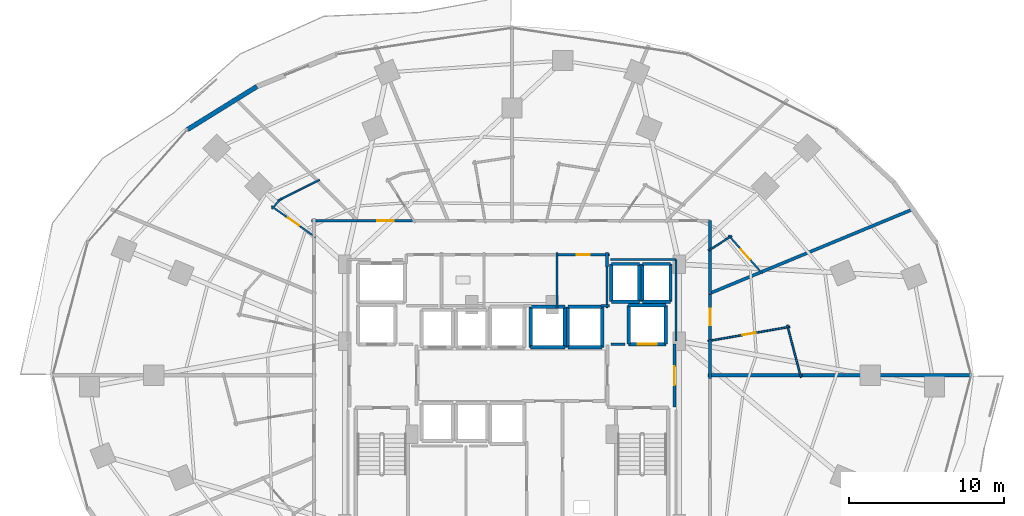
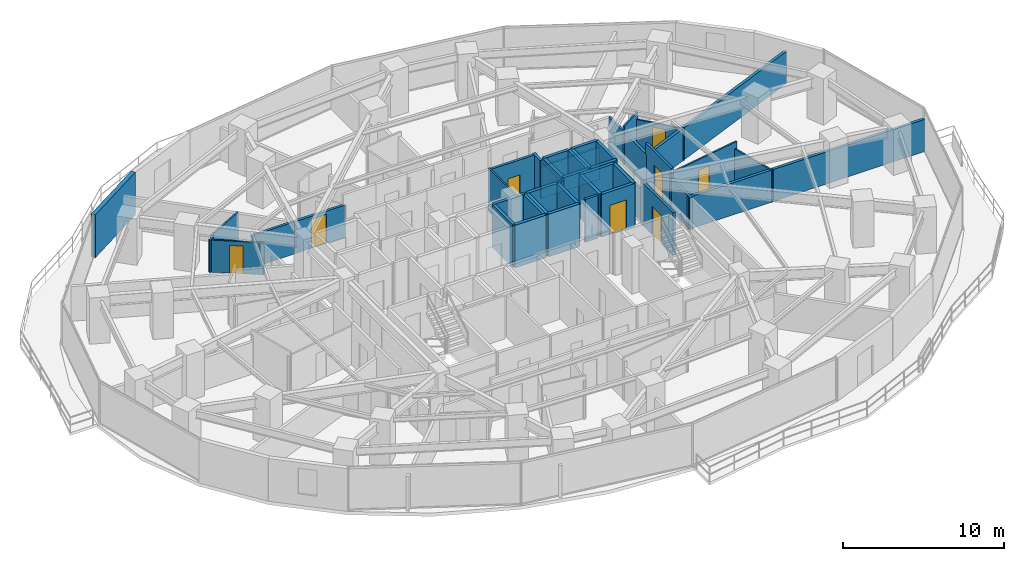
# One storey, part 29 of 34: 46 walls, 8 doors, 8 openings.
"""IFC4 building model written with IfcOpenShell, lengths in metres."""

from ifc_helpers import new_model, si_unit, direction, frame, frame_2d, origin, place, context, subcontext, project, spatial, rectangle, extrude, material, layer, layer_set, type_object, element, fill, save


model = new_model("IFC4")

# Units and contexts
model_context = context("Model", 3, precision=1e-05, world=origin(), true_north=direction((0.0, 1.0)))
body_context = subcontext(model_context, "Body", "Model", "MODEL_VIEW")
ifc_project = project(units=[si_unit("LENGTHUNIT", "METRE"), si_unit("AREAUNIT", "SQUARE_METRE"), si_unit("VOLUMEUNIT", "CUBIC_METRE"), si_unit("PLANEANGLEUNIT", "RADIAN"), si_unit("MASSUNIT", "GRAM", prefix="KILO")], contexts=[model_context])

# Site, building, storey
site_placement = place(None, origin())
site = spatial("IfcSite", under=ifc_project, at=site_placement, CompositionType="ELEMENT")
building_placement = place(site_placement, origin())
building = spatial("IfcBuilding", under=site, at=building_placement, Name="Vorneva Point Tower", CompositionType="ELEMENT")
storey_placement = place(building_placement, frame((0.0, 0.0, 27.5)))
storey = spatial("IfcBuildingStorey", under=building, at=storey_placement, Name="L06", CompositionType="ELEMENT", Elevation=27.5)

# Wall, opening, door
ifc_material_1 = material(Name="Concrete B60 (C50/60)", Category="concrete")
ifc_layer_1 = layer(ifc_material_1, 0.5)
ifc_layer_set_1 = layer_set([ifc_layer_1], Name="Concrete B60 (C50/60)")
wall_type_1 = type_object("IfcWallType", Name="WL-CORE-500", PredefinedType="SHEAR", material=ifc_layer_set_1)
wall_1_placement = place(storey_placement, frame((45.5, 28.0, 0.0), z_axis=(0.0, 0.0, 1.0), x_axis=(1.0, 0.0, 0.0)))
wall_1 = element("IfcWall", 1, at=wall_1_placement, inside=storey, type_object=wall_type_1, Name="L06 Lift FFL2 Shaft Wall -Y", PredefinedType="SHEAR", context=body_context, shape_type="SweptSolid", body=[
    extrude(rectangle(XDim=2.39990234375, YDim=0.219970703125, at=frame_2d((1.199951171875, 0.0))), origin(), (0.0, 0.0, 1.0), 3.239990234375),
])
opening_1_placement = place(wall_1_placement, frame((0.60009765625, 0.0, 0.0)))
opening_1 = element("IfcOpeningElement", 2, at=opening_1_placement, cuts=wall_1, Name="Opening LD-02", PredefinedType="OPENING", context=body_context, shape_type="SweptSolid", body=[
    extrude(rectangle(XDim=1.199951171875, YDim=2.199951171875, at=frame_2d((0.60009765625, 1.10009765625))), frame((0.0, 0.125, 0.0), z_axis=(0.0, -1.0, 0.0), x_axis=(1.0, 0.0, 0.0)), (0.0, 0.0, 1.0), 0.249755859375),
])
ifc_material_2 = material(Name="Brushed stainless steel S304", Category="steel")
door_type_1 = type_object("IfcDoorType", Name="LD-FIRE-1200", OperationType="SLIDING_TO_LEFT", PredefinedType="DOOR", material=ifc_material_2)
door_1_placement = place(opening_1_placement, origin())
door_1 = element("IfcDoor", 3, at=door_1_placement, inside=storey, type_object=door_type_1, Name="L06 Lift FFL2 Sliding Landing Door", OperationType="SLIDING_TO_LEFT", OverallHeight=2.199951171875, OverallWidth=1.199951171875, PredefinedType="DOOR", context=body_context, shape_type="SweptSolid", body=[
    extrude(rectangle(XDim=1.199951171875, YDim=2.199951171875, at=frame_2d((0.60009765625, 1.10009765625))), frame((0.0, 0.02490234375, 0.0), z_axis=(0.0, -1.0, 0.0), x_axis=(1.0, 0.0, 0.0)), (0.0, 0.0, 1.0), 0.050048828125),
])
fill(opening_1, door_1)

# Walls
wall_2_placement = place(storey_placement, frame((47.89990234375, 28.0, 0.0), z_axis=(0.0, 0.0, 1.0), x_axis=(0.0, 1.0, 0.0)))
element("IfcWall", 4, at=wall_2_placement, inside=storey, type_object=wall_type_1, Name="L06 Lift FFL2 Shaft Wall +X", PredefinedType="SHEAR", context=body_context, shape_type="SweptSolid", body=[
    extrude(rectangle(XDim=2.5, YDim=0.219970703125, at=frame_2d((1.25, 0.0))), origin(), (0.0, 0.0, 1.0), 3.239990234375),
])
wall_3_placement = place(storey_placement, frame((47.89990234375, 30.5, 0.0), z_axis=(0.0, 0.0, 1.0), x_axis=(-1.0, 0.0, 0.0)))
element("IfcWall", 5, at=wall_3_placement, inside=storey, type_object=wall_type_1, Name="L06 Lift FFL2 Shaft Wall +Y", PredefinedType="SHEAR", context=body_context, shape_type="SweptSolid", body=[
    extrude(rectangle(XDim=2.39990234375, YDim=0.219970703125, at=frame_2d((1.199951171875, 0.0))), origin(), (0.0, 0.0, 1.0), 3.239990234375),
])
wall_4_placement = place(storey_placement, frame((45.5, 30.5, 0.0), z_axis=(0.0, 0.0, 1.0), x_axis=(0.0, -1.0, 0.0)))
element("IfcWall", 6, at=wall_4_placement, inside=storey, type_object=wall_type_1, Name="L06 Lift FFL2 Shaft Wall -X", PredefinedType="SHEAR", context=body_context, shape_type="SweptSolid", body=[
    extrude(rectangle(XDim=2.5, YDim=0.219970703125, at=frame_2d((1.25, 0.0))), origin(), (0.0, 0.0, 1.0), 3.239990234375),
])
ifc_material_3 = material(Name="Precast concrete B50 (C40/50)", Category="concrete")
ifc_layer_2 = layer(ifc_material_3, 0.300048828125)
ifc_layer_set_2 = layer_set([ifc_layer_2], Name="Precast concrete B50 (C40/50)")
wall_type_2 = type_object("IfcWallType", Name="WL-EXT-300", PredefinedType="STANDARD", material=ifc_layer_set_2)
wall_5_placement = place(storey_placement, frame((21.5830078125, 44.583251953125, 0.0), z_axis=(0.0, 0.0, 1.0), x_axis=(-0.849633724826, -0.527373239404, 0.0)))
element("IfcWall", 7, at=wall_5_placement, inside=storey, type_object=wall_type_2, Name="L06 Pale-Metal Facade Spandrel Wall 06.2", PredefinedType="STANDARD", context=body_context, shape_type="SweptSolid", body=[
    extrude(rectangle(XDim=5.2705078125, YDim=0.300048828125, at=frame_2d((2.63525390625, 0.0))), origin(), (0.0, 0.0, 1.0), 3.239990234375),
])
ifc_material_4 = material(Name="Fire-rated acoustic gypsum stud partition", Category="gypsum")
ifc_layer_3 = layer(ifc_material_4, 0.110107421875)
ifc_layer_set_3 = layer_set([ifc_layer_3], Name="Fire-rated acoustic gypsum stud partition")
wall_type_3 = type_object("IfcWallType", Name="WL-PART-110", PredefinedType="PARTITIONING", material=ifc_layer_set_3)
wall_6_placement = place(storey_placement, frame((40.89990234375, 30.340087890625, 0.0), z_axis=(0.0, 0.0, 1.0), x_axis=(0.0, 1.0, 0.0)))
element("IfcWall", 8, at=wall_6_placement, inside=storey, type_object=wall_type_3, Name="L06 Interior Partition 017", PredefinedType="PARTITIONING", context=body_context, shape_type="SweptSolid", body=[
    extrude(rectangle(XDim=3.559814453125, YDim=0.110107421875, at=frame_2d((1.77978515625, 0.0))), origin(), (0.0, 0.0, 1.0), 3.239990234375),
])
wall_7_placement = place(storey_placement, frame((55.70947265625, 29.232421875, 0.0), z_axis=(0.0, 0.0, 1.0), x_axis=(0.254476045764, -0.967079077497, 0.0)))
element("IfcWall", 9, at=wall_7_placement, inside=storey, type_object=wall_type_3, Name="L06 Interior Partition 057", PredefinedType="PARTITIONING", context=body_context, shape_type="SweptSolid", body=[
    extrude(rectangle(XDim=3.482666015625, YDim=0.110107421875, at=frame_2d((1.7412109375, 0.0))), origin(), (0.0, 0.0, 1.0), 2.431884765625),
])

# Wall, opening, door
wall_8_placement = place(storey_placement, frame((50.612060546875, 28.200927734375, 0.0), z_axis=(0.0, 0.0, 1.0), x_axis=(0.985100697644, 0.171978532096, 0.0)))
wall_8 = element("IfcWall", 10, at=wall_8_placement, inside=storey, type_object=wall_type_3, Name="L06 Interior Partition 058", PredefinedType="PARTITIONING", context=body_context, shape_type="SweptSolid", body=[
    extrude(rectangle(XDim=5.3505859375, YDim=0.110107421875, at=frame_2d((2.67529296875, 0.0))), origin(), (0.0, 0.0, 1.0), 2.922119140625),
])
opening_2_placement = place(wall_8_placement, frame((2.250244140625, 0.0, 0.0)))
opening_2 = element("IfcOpeningElement", 11, at=opening_2_placement, cuts=wall_8, Name="Opening ID-02", PredefinedType="OPENING", context=body_context, shape_type="SweptSolid", body=[
    extrude(rectangle(XDim=0.85009765625, YDim=2.10009765625, at=frame_2d((0.425048828125, 1.050048828125))), frame((0.0, 0.06982421875, 0.0), z_axis=(0.0, -1.0, 0.0), x_axis=(1.0, 0.0, 0.0)), (0.0, 0.0, 1.0), 0.139892578125),
])
ifc_material_5 = material(Name="Engineered oak fire-rated door leaf", Category="wood")
door_type_2 = type_object("IfcDoorType", Name="DR-BATH-850", OperationType="NOTDEFINED", PredefinedType="DOOR", material=ifc_material_5)
door_2_placement = place(opening_2_placement, origin())
door_2 = element("IfcDoor", 12, at=door_2_placement, inside=storey, type_object=door_type_2, Name="L06 Door Junior Suite L06-01 / En-Suite Bathroom L06-01", OperationType="SINGLE_SWING_RIGHT", OverallHeight=2.10009765625, OverallWidth=0.85009765625, PredefinedType="DOOR", context=body_context, shape_type="SweptSolid", body=[
    extrude(rectangle(XDim=0.85009765625, YDim=2.10009765625, at=frame_2d((0.425048828125, 1.050048828125))), frame((0.0, 0.02490234375, 0.0), z_axis=(0.0, -1.0, 0.0), x_axis=(1.0, 0.0, 0.0)), (0.0, 0.0, 1.0), 0.050048828125),
])
fill(opening_2, door_2)

wall_9_placement = place(storey_placement, frame((51.935302734375, 35.0068359375, 0.0), z_axis=(0.0, 0.0, 1.0), x_axis=(0.662059609276, -0.749451181709, 0.0)))
wall_9 = element("IfcWall", 13, at=wall_9_placement, inside=storey, type_object=wall_type_3, Name="L06 Interior Partition 062", PredefinedType="PARTITIONING", context=body_context, shape_type="SweptSolid", body=[
    extrude(rectangle(XDim=3.29931640625, YDim=0.110107421875, at=frame_2d((1.649658203125, 0.0))), origin(), (0.0, 0.0, 1.0), 2.431884765625),
])
opening_3_placement = place(wall_9_placement, frame((1.224609375, 0.0, 0.0)))
opening_3 = element("IfcOpeningElement", 14, at=opening_3_placement, cuts=wall_9, Name="Opening ID-02", PredefinedType="OPENING", context=body_context, shape_type="SweptSolid", body=[
    extrude(rectangle(XDim=0.85009765625, YDim=2.10009765625, at=frame_2d((0.425048828125, 1.050048828125))), frame((0.0, 0.06982421875, 0.0), z_axis=(0.0, -1.0, 0.0), x_axis=(1.0, 0.0, 0.0)), (0.0, 0.0, 1.0), 0.139892578125),
])
door_3_placement = place(opening_3_placement, origin())
door_3 = element("IfcDoor", 15, at=door_3_placement, inside=storey, type_object=door_type_2, Name="L06 Door Executive Suite L06-02 / En-Suite Bathroom L06-02", OperationType="SINGLE_SWING_LEFT", OverallHeight=2.10009765625, OverallWidth=0.85009765625, PredefinedType="DOOR", context=body_context, shape_type="SweptSolid", body=[
    extrude(rectangle(XDim=0.85009765625, YDim=2.10009765625, at=frame_2d((0.425048828125, 1.050048828125))), frame((0.0, 0.02490234375, 0.0), z_axis=(0.0, -1.0, 0.0), x_axis=(1.0, 0.0, 0.0)), (0.0, 0.0, 1.0), 0.050048828125),
])
fill(opening_3, door_3)

# Walls
wall_10_placement = place(storey_placement, frame((50.6318359375, 34.01611328125, 0.0), z_axis=(0.0, 0.0, 1.0), x_axis=(0.844361394482, 0.535774052665, 0.0)))
element("IfcWall", 16, at=wall_10_placement, inside=storey, type_object=wall_type_3, Name="L06 Interior Partition 063", PredefinedType="PARTITIONING", context=body_context, shape_type="SweptSolid", body=[
    extrude(rectangle(XDim=1.79345703125, YDim=0.110107421875, at=frame_2d((0.896728515625, 0.0))), origin(), (0.0, 0.0, 1.0), 2.922119140625),
])
wall_11_placement = place(storey_placement, frame((22.538330078125, 36.697021484375, 0.0), z_axis=(0.0, 0.0, 1.0), x_axis=(0.662242037053, 0.749289986827, 0.0)))
element("IfcWall", 17, at=wall_11_placement, inside=storey, type_object=wall_type_3, Name="L06 Interior Partition 081", PredefinedType="PARTITIONING", context=body_context, shape_type="SweptSolid", body=[
    extrude(rectangle(XDim=0.936767578125, YDim=0.110107421875, at=frame_2d((0.46826171875, 0.0))), origin(), (0.0, 0.0, 1.0), 2.431884765625),
])
wall_12_placement = place(storey_placement, frame((22.941162109375, 37.23095703125, 0.0), z_axis=(0.0, 0.0, 1.0), x_axis=(0.892507731149, 0.451032094024, 0.0)))
element("IfcWall", 18, at=wall_12_placement, inside=storey, type_object=wall_type_3, Name="L06 Interior Partition 082", PredefinedType="PARTITIONING", context=body_context, shape_type="SweptSolid", body=[
    extrude(rectangle(XDim=2.989013671875, YDim=0.110107421875, at=frame_2d((1.49462890625, 0.0))), origin(), (0.0, 0.0, 1.0), 2.431884765625),
])

# Wall, opening, door
wall_13_placement = place(storey_placement, frame((25.364501953125, 34.880615234375, 0.0), z_axis=(0.0, 0.0, 1.0), x_axis=(-0.81809360258, 0.575085087111, 0.0)))
wall_13 = element("IfcWall", 19, at=wall_13_placement, inside=storey, type_object=wall_type_3, Name="L06 Interior Partition 083", PredefinedType="PARTITIONING", context=body_context, shape_type="SweptSolid", body=[
    extrude(rectangle(XDim=3.481201171875, YDim=0.110107421875, at=frame_2d((1.74072265625, 0.0))), origin(), (0.0, 0.0, 1.0), 2.431884765625),
])
opening_4_placement = place(wall_13_placement, frame((1.315673828125, 0.0, 0.0)))
opening_4 = element("IfcOpeningElement", 20, at=opening_4_placement, cuts=wall_13, Name="Opening ID-02", PredefinedType="OPENING", context=body_context, shape_type="SweptSolid", body=[
    extrude(rectangle(XDim=0.85009765625, YDim=2.10009765625, at=frame_2d((0.425048828125, 1.050048828125))), frame((0.0, 0.06982421875, 0.0), z_axis=(0.0, -1.0, 0.0), x_axis=(1.0, 0.0, 0.0)), (0.0, 0.0, 1.0), 0.139892578125),
])
door_4_placement = place(opening_4_placement, origin())
door_4 = element("IfcDoor", 21, at=door_4_placement, inside=storey, type_object=door_type_2, Name="L06 Door Junior Suite L06-07 / En-Suite Bathroom L06-07", OperationType="SINGLE_SWING_RIGHT", OverallHeight=2.10009765625, OverallWidth=0.85009765625, PredefinedType="DOOR", context=body_context, shape_type="SweptSolid", body=[
    extrude(rectangle(XDim=0.85009765625, YDim=2.10009765625, at=frame_2d((0.425048828125, 1.050048828125))), frame((0.0, 0.02490234375, 0.0), z_axis=(0.0, -1.0, 0.0), x_axis=(1.0, 0.0, 0.0)), (0.0, 0.0, 1.0), 0.050048828125),
])
fill(opening_4, door_4)

# Walls
ifc_layer_4 = layer(ifc_material_4, 0.139892578125)
ifc_layer_set_4 = layer_set([ifc_layer_4], Name="Fire-rated acoustic gypsum stud partition")
wall_type_4 = type_object("IfcWallType", Name="WL-PART-140", PredefinedType="PARTITIONING", material=ifc_layer_set_4)
wall_14_placement = place(storey_placement, frame((43.735107421875, 30.47998046875, 0.0), z_axis=(0.0, 0.0, 1.0), x_axis=(1.0, 0.0, 0.0)))
element("IfcWall", 22, at=wall_14_placement, inside=storey, type_object=wall_type_4, Name="L06 Interior Closure Partition 112", PredefinedType="PARTITIONING", context=body_context, shape_type="SweptSolid", body=[
    extrude(rectangle(XDim=0.52490234375, YDim=0.139892578125, at=frame_2d((0.262451171875, 0.0))), origin(), (0.0, 0.0, 1.0), 3.239990234375),
])
wall_15_placement = place(storey_placement, frame((44.1201171875, 30.340087890625, 0.0), z_axis=(0.0, 0.0, 1.0), x_axis=(0.0, 1.0, 0.0)))
element("IfcWall", 23, at=wall_15_placement, inside=storey, type_object=wall_type_4, Name="L06 Interior Closure Partition 113", PredefinedType="PARTITIONING", context=body_context, shape_type="SweptSolid", body=[
    extrude(rectangle(XDim=2.659912109375, YDim=0.139892578125, at=frame_2d((1.330078125, 0.0))), origin(), (0.0, 0.0, 1.0), 3.239990234375),
])
wall_16_placement = place(storey_placement, frame((44.340087890625, 33.449951171875, 0.0), z_axis=(0.0, 0.0, 1.0), x_axis=(1.0, 0.0, 0.0)))
element("IfcWall", 24, at=wall_16_placement, inside=storey, type_object=wall_type_4, Name="L06 Interior Closure Partition 116", PredefinedType="PARTITIONING", context=body_context, shape_type="SweptSolid", body=[
    extrude(rectangle(XDim=4.2099609375, YDim=0.139892578125, at=frame_2d((2.10498046875, 0.0))), origin(), (0.0, 0.0, 1.0), 2.431884765625),
])
wall_17_placement = place(storey_placement, frame((48.550048828125, 33.449951171875, 0.0), z_axis=(0.0, 0.0, 1.0), x_axis=(0.0, -1.0, 0.0)))
element("IfcWall", 25, at=wall_17_placement, inside=storey, type_object=wall_type_4, Name="L06 Interior Closure Partition 117", PredefinedType="PARTITIONING", context=body_context, shape_type="SweptSolid", body=[
    extrude(rectangle(XDim=5.25390625, YDim=0.139892578125, at=frame_2d((2.626953125, 0.0))), origin(), (0.0, 0.0, 1.0), 2.431884765625),
])

# Wall, opening, door
ifc_material_6 = material(Name="Autoclaved aerated concrete blockwork", Category="masonry")
ifc_layer_5 = layer(ifc_material_6, 0.179931640625)
ifc_layer_set_5 = layer_set([ifc_layer_5], Name="Autoclaved aerated concrete blockwork")
wall_type_5 = type_object("IfcWallType", Name="WL-PART-180", PredefinedType="PARTITIONING", material=ifc_layer_set_5)
wall_18_placement = place(storey_placement, frame((48.449951171875, 23.949951171875, 0.0), z_axis=(0.0, 0.0, 1.0), x_axis=(0.0, 1.0, 0.0)))
wall_18 = element("IfcWall", 26, at=wall_18_placement, inside=storey, type_object=wall_type_5, Name="L06 Interior Partition 005", PredefinedType="PARTITIONING", context=body_context, shape_type="SweptSolid", body=[
    extrude(rectangle(XDim=4.050048828125, YDim=0.179931640625, at=frame_2d((2.02490234375, 0.0))), origin(), (0.0, 0.0, 1.0), 3.239990234375),
])
opening_5_placement = place(wall_18_placement, frame((1.425048828125, 0.0, 0.0)))
opening_5 = element("IfcOpeningElement", 27, at=opening_5_placement, cuts=wall_18, Name="Opening FD-02", PredefinedType="OPENING", context=body_context, shape_type="SweptSolid", body=[
    extrude(rectangle(XDim=1.199951171875, YDim=2.14990234375, at=frame_2d((0.60009765625, 1.074951171875))), frame((0.0, 0.10498046875, 0.0), z_axis=(0.0, -1.0, 0.0), x_axis=(1.0, 0.0, 0.0)), (0.0, 0.0, 1.0), 0.209716796875),
])
ifc_material_7 = material(Name="Fire-rated powder-coated steel", Category="steel")
door_type_3 = type_object("IfcDoorType", Name="DR-FFL-1200", OperationType="NOTDEFINED", PredefinedType="DOOR", material=ifc_material_7)
door_5_placement = place(opening_5_placement, origin())
door_5 = element("IfcDoor", 28, at=door_5_placement, inside=storey, type_object=door_type_3, Name="L06 Door East Firefighting Lobby / L06 Circulation Corridor", OperationType="SINGLE_SWING_LEFT", OverallHeight=2.14990234375, OverallWidth=1.199951171875, PredefinedType="DOOR", context=body_context, shape_type="SweptSolid", body=[
    extrude(rectangle(XDim=1.199951171875, YDim=2.14990234375, at=frame_2d((0.60009765625, 1.074951171875))), frame((0.0, 0.02490234375, 0.0), z_axis=(0.0, -1.0, 0.0), x_axis=(1.0, 0.0, 0.0)), (0.0, 0.0, 1.0), 0.050048828125),
])
fill(opening_5, door_5)

wall_19_placement = place(storey_placement, frame((44.260009765625, 33.760009765625, 0.0), z_axis=(0.0, 0.0, 1.0), x_axis=(-1.0, 0.0, 0.0)))
wall_19 = element("IfcWall", 29, at=wall_19_placement, inside=storey, type_object=wall_type_5, Name="L06 Interior Partition 019", PredefinedType="PARTITIONING", context=body_context, shape_type="SweptSolid", body=[
    extrude(rectangle(XDim=3.360107421875, YDim=0.179931640625, at=frame_2d((1.68017578125, 0.0))), origin(), (0.0, 0.0, 1.0), 3.239990234375),
])
opening_6_placement = place(wall_19_placement, frame((1.2548828125, 0.0, 0.0)))
opening_6 = element("IfcOpeningElement", 30, at=opening_6_placement, cuts=wall_19, Name="Opening ID-02", PredefinedType="OPENING", context=body_context, shape_type="SweptSolid", body=[
    extrude(rectangle(XDim=0.85009765625, YDim=2.10009765625, at=frame_2d((0.425048828125, 1.050048828125))), frame((0.0, 0.10498046875, 0.0), z_axis=(0.0, -1.0, 0.0), x_axis=(1.0, 0.0, 0.0)), (0.0, 0.0, 1.0), 0.209716796875),
])
door_6_placement = place(opening_6_placement, origin())
door_6 = element("IfcDoor", 31, at=door_6_placement, inside=storey, type_object=door_type_2, Name="L06 Door Accessible WC / L06 Circulation Corridor", OperationType="SINGLE_SWING_LEFT", OverallHeight=2.10009765625, OverallWidth=0.85009765625, PredefinedType="DOOR", context=body_context, shape_type="SweptSolid", body=[
    extrude(rectangle(XDim=0.85009765625, YDim=2.10009765625, at=frame_2d((0.425048828125, 1.050048828125))), frame((0.0, 0.02490234375, 0.0), z_axis=(0.0, -1.0, 0.0), x_axis=(1.0, 0.0, 0.0)), (0.0, 0.0, 1.0), 0.050048828125),
])
fill(opening_6, door_6)

# Wall
wall_20_placement = place(storey_placement, frame((44.1201171875, 32.969970703125, 0.0), z_axis=(0.0, 0.0, 1.0), x_axis=(0.0, 1.0, 0.0)))
element("IfcWall", 32, at=wall_20_placement, inside=storey, type_object=wall_type_5, Name="L06 Interior Partition 020", PredefinedType="PARTITIONING", context=body_context, shape_type="SweptSolid", body=[
    extrude(rectangle(XDim=0.929931640625, YDim=0.179931640625, at=frame_2d((0.46484375, 0.0))), origin(), (0.0, 0.0, 1.0), 3.239990234375),
])

# Wall, opening, door
wall_21_placement = place(storey_placement, frame((50.75, 28.1650390625, 0.0), z_axis=(0.0, 0.0, 1.0), x_axis=(0.0, 1.0, 0.0)))
wall_21 = element("IfcWall", 33, at=wall_21_placement, inside=storey, type_object=wall_type_5, Name="L06 Interior Partition 024", PredefinedType="PARTITIONING", context=body_context, shape_type="SweptSolid", body=[
    extrude(rectangle(XDim=3.180908203125, YDim=0.179931640625, at=frame_2d((1.59033203125, 0.0))), origin(), (0.0, 0.0, 1.0), 3.239990234375),
])
opening_7_placement = place(wall_21_placement, frame((1.0654296875, 0.0, 0.0)))
opening_7 = element("IfcOpeningElement", 34, at=opening_7_placement, cuts=wall_21, Name="Opening UD-02", PredefinedType="OPENING", context=body_context, shape_type="SweptSolid", body=[
    extrude(rectangle(XDim=1.050048828125, YDim=2.199951171875, at=frame_2d((0.52490234375, 1.10009765625))), frame((0.0, 0.10498046875, 0.0), z_axis=(0.0, -1.0, 0.0), x_axis=(1.0, 0.0, 0.0)), (0.0, 0.0, 1.0), 0.209716796875),
])
door_type_4 = type_object("IfcDoorType", Name="DR-SUITE-1050", OperationType="NOTDEFINED", PredefinedType="DOOR", material=ifc_material_5)
door_7_placement = place(opening_7_placement, origin())
door_7 = element("IfcDoor", 35, at=door_7_placement, inside=storey, type_object=door_type_4, Name="L06 Door L06 Circulation Corridor / Junior Suite L06-01", OperationType="SINGLE_SWING_RIGHT", OverallHeight=2.199951171875, OverallWidth=1.050048828125, PredefinedType="DOOR", context=body_context, shape_type="SweptSolid", body=[
    extrude(rectangle(XDim=1.050048828125, YDim=2.199951171875, at=frame_2d((0.52490234375, 1.10009765625))), frame((0.0, 0.02490234375, 0.0), z_axis=(0.0, -1.0, 0.0), x_axis=(1.0, 0.0, 0.0)), (0.0, 0.0, 1.0), 0.050048828125),
])
fill(opening_7, door_7)

# Walls
wall_22_placement = place(storey_placement, frame((50.75, 25.800048828125, 0.0), z_axis=(0.0, 0.0, 1.0), x_axis=(0.0, 1.0, 0.0)))
element("IfcWall", 36, at=wall_22_placement, inside=storey, type_object=wall_type_5, Name="L06 Interior Partition 025", PredefinedType="PARTITIONING", context=body_context, shape_type="SweptSolid", body=[
    extrude(rectangle(XDim=2.5048828125, YDim=0.179931640625, at=frame_2d((1.25244140625, 0.0))), origin(), (0.0, 0.0, 1.0), 2.431884765625),
])
wall_23_placement = place(storey_placement, frame((50.75, 34.031005859375, 0.0), z_axis=(0.0, 0.0, 1.0), x_axis=(0.0, 1.0, 0.0)))
element("IfcWall", 37, at=wall_23_placement, inside=storey, type_object=wall_type_5, Name="L06 Interior Partition 026", PredefinedType="PARTITIONING", context=body_context, shape_type="SweptSolid", body=[
    extrude(rectangle(XDim=1.9189453125, YDim=0.179931640625, at=frame_2d((0.95947265625, 0.0))), origin(), (0.0, 0.0, 1.0), 2.431884765625),
])
wall_24_placement = place(storey_placement, frame((50.75, 31.2060546875, 0.0), z_axis=(0.0, 0.0, 1.0), x_axis=(0.0, 1.0, 0.0)))
element("IfcWall", 38, at=wall_24_placement, inside=storey, type_object=wall_type_5, Name="L06 Interior Partition 028", PredefinedType="PARTITIONING", context=body_context, shape_type="SweptSolid", body=[
    extrude(rectangle(XDim=2.96484375, YDim=0.179931640625, at=frame_2d((1.482421875, 0.0))), origin(), (0.0, 0.0, 1.0), 2.431884765625),
])

# Wall, opening, door
wall_25_placement = place(storey_placement, frame((31.74609375, 35.949951171875, 0.0), z_axis=(0.0, 0.0, 1.0), x_axis=(-1.0, 0.0, 0.0)))
wall_25 = element("IfcWall", 39, at=wall_25_placement, inside=storey, type_object=wall_type_5, Name="L06 Interior Partition 035", PredefinedType="PARTITIONING", context=body_context, shape_type="SweptSolid", body=[
    extrude(rectangle(XDim=3.781005859375, YDim=0.179931640625, at=frame_2d((1.890625, 0.0))), origin(), (0.0, 0.0, 1.0), 2.431884765625),
])
opening_8_placement = place(wall_25_placement, frame((1.365478515625, 0.0, 0.0)))
opening_8 = element("IfcOpeningElement", 40, at=opening_8_placement, cuts=wall_25, Name="Opening UD-02", PredefinedType="OPENING", context=body_context, shape_type="SweptSolid", body=[
    extrude(rectangle(XDim=1.050048828125, YDim=2.199951171875, at=frame_2d((0.52490234375, 1.10009765625))), frame((0.0, 0.10498046875, 0.0), z_axis=(0.0, -1.0, 0.0), x_axis=(1.0, 0.0, 0.0)), (0.0, 0.0, 1.0), 0.209716796875),
])
door_8_placement = place(opening_8_placement, origin())
door_8 = element("IfcDoor", 41, at=door_8_placement, inside=storey, type_object=door_type_4, Name="L06 Door L06 Circulation Corridor / Corner Suite L06-06", OperationType="SINGLE_SWING_LEFT", OverallHeight=2.199951171875, OverallWidth=1.050048828125, PredefinedType="DOOR", context=body_context, shape_type="SweptSolid", body=[
    extrude(rectangle(XDim=1.050048828125, YDim=2.199951171875, at=frame_2d((0.52490234375, 1.10009765625))), frame((0.0, 0.02490234375, 0.0), z_axis=(0.0, -1.0, 0.0), x_axis=(1.0, 0.0, 0.0)), (0.0, 0.0, 1.0), 0.050048828125),
])
fill(opening_8, door_8)

# Walls
wall_26_placement = place(storey_placement, frame((28.10498046875, 35.949951171875, 0.0), z_axis=(0.0, 0.0, 1.0), x_axis=(-1.0, 0.0, 0.0)))
element("IfcWall", 42, at=wall_26_placement, inside=storey, type_object=wall_type_5, Name="L06 Interior Partition 038", PredefinedType="PARTITIONING", context=body_context, shape_type="SweptSolid", body=[
    extrude(rectangle(XDim=2.994873046875, YDim=0.179931640625, at=frame_2d((1.49755859375, 0.0))), origin(), (0.0, 0.0, 1.0), 2.431884765625),
])
wall_27_placement = place(storey_placement, frame((45.280029296875, 28.0, 0.0), z_axis=(0.0, 0.0, 1.0), x_axis=(-1.0, 0.0, 0.0)))
element("IfcWall", 43, at=wall_27_placement, inside=storey, type_object=wall_type_5, Name="L06 Interior Closure Partition 108", PredefinedType="PARTITIONING", context=body_context, shape_type="SweptSolid", body=[
    extrude(rectangle(XDim=0.9150390625, YDim=0.179931640625, at=frame_2d((0.45751953125, 0.0))), origin(), (0.0, 0.0, 1.0), 3.239990234375),
])
ifc_layer_6 = layer(ifc_material_6, 0.199951171875)
ifc_layer_set_6 = layer_set([ifc_layer_6], Name="Autoclaved aerated concrete blockwork")
wall_type_6 = type_object("IfcWallType", Name="WL-PART-200", PredefinedType="PARTITIONING", material=ifc_layer_set_6)
wall_28_placement = place(storey_placement, frame((63.79296875, 36.68408203125, 0.0), z_axis=(0.0, 0.0, 1.0), x_axis=(-0.923866969846, -0.382713759914, 0.0)))
element("IfcWall", 44, at=wall_28_placement, inside=storey, type_object=wall_type_6, Name="L06 Interior Partition 059", PredefinedType="PARTITIONING", context=body_context, shape_type="SweptSolid", body=[
    extrude(rectangle(XDim=14.117919921875, YDim=0.199951171875, at=frame_2d((7.05908203125, 0.0))), origin(), (0.0, 0.0, 1.0), 2.431884765625),
])
wall_29_placement = place(storey_placement, frame((56.56005859375, 26.0, 0.0), z_axis=(0.0, 0.0, 1.0), x_axis=(1.0, 0.0, 0.0)))
element("IfcWall", 45, at=wall_29_placement, inside=storey, type_object=wall_type_6, Name="L06 Interior Partition 060", PredefinedType="PARTITIONING", context=body_context, shape_type="SweptSolid", body=[
    extrude(rectangle(XDim=10.989013671875, YDim=0.199951171875, at=frame_2d((5.49462890625, 0.0))), origin(), (0.0, 0.0, 1.0), 2.431884765625),
])
wall_30_placement = place(storey_placement, frame((50.610107421875, 26.0, 0.0), z_axis=(0.0, 0.0, 1.0), x_axis=(1.0, 0.0, 0.0)))
element("IfcWall", 46, at=wall_30_placement, inside=storey, type_object=wall_type_6, Name="L06 Interior Partition 061", PredefinedType="PARTITIONING", context=body_context, shape_type="SweptSolid", body=[
    extrude(rectangle(XDim=6.08984375, YDim=0.199951171875, at=frame_2d((3.044921875, 0.0))), origin(), (0.0, 0.0, 1.0), 2.431884765625),
])
ifc_material_8 = material(Name="Concrete B50 (C40/50)", Category="concrete")
ifc_layer_7 = layer(ifc_material_8, 0.219970703125)
ifc_layer_set_7 = layer_set([ifc_layer_7], Name="Concrete B50 (C40/50)")
wall_type_7 = type_object("IfcWallType", Name="WL-SHFT-220", PredefinedType="SOLIDWALL", material=ifc_layer_set_7)
wall_31_placement = place(storey_placement, frame((39.199951171875, 27.800048828125, 0.0), z_axis=(0.0, 0.0, 1.0), x_axis=(1.0, 0.0, 0.0)))
element("IfcWall", 47, at=wall_31_placement, inside=storey, type_object=wall_type_7, Name="L06 Lift PL7 Shaft Wall -Y", PredefinedType="SOLIDWALL", context=body_context, shape_type="SweptSolid", body=[
    extrude(rectangle(XDim=2.199951171875, YDim=0.219970703125, at=frame_2d((1.10009765625, 0.0))), origin(), (0.0, 0.0, 1.0), 3.239990234375),
])
wall_32_placement = place(storey_placement, frame((41.39990234375, 27.800048828125, 0.0), z_axis=(0.0, 0.0, 1.0), x_axis=(0.0, 1.0, 0.0)))
element("IfcWall", 48, at=wall_32_placement, inside=storey, type_object=wall_type_7, Name="L06 Lift PL7 Shaft Wall +X", PredefinedType="SOLIDWALL", context=body_context, shape_type="SweptSolid", body=[
    extrude(rectangle(XDim=2.599853515625, YDim=0.219970703125, at=frame_2d((1.2998046875, 0.0))), origin(), (0.0, 0.0, 1.0), 3.239990234375),
])
wall_33_placement = place(storey_placement, frame((41.39990234375, 30.39990234375, 0.0), z_axis=(0.0, 0.0, 1.0), x_axis=(-1.0, 0.0, 0.0)))
element("IfcWall", 49, at=wall_33_placement, inside=storey, type_object=wall_type_7, Name="L06 Lift PL7 Shaft Wall +Y", PredefinedType="SOLIDWALL", context=body_context, shape_type="SweptSolid", body=[
    extrude(rectangle(XDim=2.199951171875, YDim=0.219970703125, at=frame_2d((1.10009765625, 0.0))), origin(), (0.0, 0.0, 1.0), 3.239990234375),
])
wall_34_placement = place(storey_placement, frame((39.199951171875, 30.39990234375, 0.0), z_axis=(0.0, 0.0, 1.0), x_axis=(0.0, -1.0, 0.0)))
element("IfcWall", 50, at=wall_34_placement, inside=storey, type_object=wall_type_7, Name="L06 Lift PL7 Shaft Wall -X", PredefinedType="SOLIDWALL", context=body_context, shape_type="SweptSolid", body=[
    extrude(rectangle(XDim=2.599853515625, YDim=0.219970703125, at=frame_2d((1.2998046875, 0.0))), origin(), (0.0, 0.0, 1.0), 3.239990234375),
])
wall_35_placement = place(storey_placement, frame((41.60009765625, 27.800048828125, 0.0), z_axis=(0.0, 0.0, 1.0), x_axis=(1.0, 0.0, 0.0)))
element("IfcWall", 51, at=wall_35_placement, inside=storey, type_object=wall_type_7, Name="L06 Lift PL8 Shaft Wall -Y", PredefinedType="SOLIDWALL", context=body_context, shape_type="SweptSolid", body=[
    extrude(rectangle(XDim=2.199951171875, YDim=0.219970703125, at=frame_2d((1.10009765625, 0.0))), origin(), (0.0, 0.0, 1.0), 3.239990234375),
])
wall_36_placement = place(storey_placement, frame((43.800048828125, 27.800048828125, 0.0), z_axis=(0.0, 0.0, 1.0), x_axis=(0.0, 1.0, 0.0)))
element("IfcWall", 52, at=wall_36_placement, inside=storey, type_object=wall_type_7, Name="L06 Lift PL8 Shaft Wall +X", PredefinedType="SOLIDWALL", context=body_context, shape_type="SweptSolid", body=[
    extrude(rectangle(XDim=2.599853515625, YDim=0.219970703125, at=frame_2d((1.2998046875, 0.0))), origin(), (0.0, 0.0, 1.0), 3.239990234375),
])
wall_37_placement = place(storey_placement, frame((43.800048828125, 30.39990234375, 0.0), z_axis=(0.0, 0.0, 1.0), x_axis=(-1.0, 0.0, 0.0)))
element("IfcWall", 53, at=wall_37_placement, inside=storey, type_object=wall_type_7, Name="L06 Lift PL8 Shaft Wall +Y", PredefinedType="SOLIDWALL", context=body_context, shape_type="SweptSolid", body=[
    extrude(rectangle(XDim=2.199951171875, YDim=0.219970703125, at=frame_2d((1.10009765625, 0.0))), origin(), (0.0, 0.0, 1.0), 3.239990234375),
])
wall_38_placement = place(storey_placement, frame((41.60009765625, 30.39990234375, 0.0), z_axis=(0.0, 0.0, 1.0), x_axis=(0.0, -1.0, 0.0)))
element("IfcWall", 54, at=wall_38_placement, inside=storey, type_object=wall_type_7, Name="L06 Lift PL8 Shaft Wall -X", PredefinedType="SOLIDWALL", context=body_context, shape_type="SweptSolid", body=[
    extrude(rectangle(XDim=2.599853515625, YDim=0.219970703125, at=frame_2d((1.2998046875, 0.0))), origin(), (0.0, 0.0, 1.0), 3.239990234375),
])
wall_39_placement = place(storey_placement, frame((44.39990234375, 30.739990234375, 0.0), z_axis=(0.0, 0.0, 1.0), x_axis=(1.0, 0.0, 0.0)))
element("IfcWall", 55, at=wall_39_placement, inside=storey, type_object=wall_type_7, Name="L06 Lift EX1 Shaft Wall -Y", PredefinedType="SOLIDWALL", context=body_context, shape_type="SweptSolid", body=[
    extrude(rectangle(XDim=1.800048828125, YDim=0.219970703125, at=frame_2d((0.89990234375, 0.0))), origin(), (0.0, 0.0, 1.0), 3.239990234375),
])
wall_40_placement = place(storey_placement, frame((46.199951171875, 30.739990234375, 0.0), z_axis=(0.0, 0.0, 1.0), x_axis=(0.0, 1.0, 0.0)))
element("IfcWall", 56, at=wall_40_placement, inside=storey, type_object=wall_type_7, Name="L06 Lift EX1 Shaft Wall +X", PredefinedType="SOLIDWALL", context=body_context, shape_type="SweptSolid", body=[
    extrude(rectangle(XDim=2.419921875, YDim=0.219970703125, at=frame_2d((1.2099609375, 0.0))), origin(), (0.0, 0.0, 1.0), 3.239990234375),
])
wall_41_placement = place(storey_placement, frame((46.199951171875, 33.159912109375, 0.0), z_axis=(0.0, 0.0, 1.0), x_axis=(-1.0, 0.0, 0.0)))
element("IfcWall", 57, at=wall_41_placement, inside=storey, type_object=wall_type_7, Name="L06 Lift EX1 Shaft Wall +Y", PredefinedType="SOLIDWALL", context=body_context, shape_type="SweptSolid", body=[
    extrude(rectangle(XDim=1.800048828125, YDim=0.219970703125, at=frame_2d((0.89990234375, 0.0))), origin(), (0.0, 0.0, 1.0), 3.239990234375),
])
wall_42_placement = place(storey_placement, frame((44.39990234375, 33.159912109375, 0.0), z_axis=(0.0, 0.0, 1.0), x_axis=(0.0, -1.0, 0.0)))
element("IfcWall", 58, at=wall_42_placement, inside=storey, type_object=wall_type_7, Name="L06 Lift EX1 Shaft Wall -X", PredefinedType="SOLIDWALL", context=body_context, shape_type="SweptSolid", body=[
    extrude(rectangle(XDim=2.419921875, YDim=0.219970703125, at=frame_2d((1.2099609375, 0.0))), origin(), (0.0, 0.0, 1.0), 3.239990234375),
])
wall_43_placement = place(storey_placement, frame((46.39990234375, 30.739990234375, 0.0), z_axis=(0.0, 0.0, 1.0), x_axis=(1.0, 0.0, 0.0)))
element("IfcWall", 59, at=wall_43_placement, inside=storey, type_object=wall_type_7, Name="L06 Lift EX2 Shaft Wall -Y", PredefinedType="SOLIDWALL", context=body_context, shape_type="SweptSolid", body=[
    extrude(rectangle(XDim=1.800048828125, YDim=0.219970703125, at=frame_2d((0.89990234375, 0.0))), origin(), (0.0, 0.0, 1.0), 3.239990234375),
])
wall_44_placement = place(storey_placement, frame((48.199951171875, 30.739990234375, 0.0), z_axis=(0.0, 0.0, 1.0), x_axis=(0.0, 1.0, 0.0)))
element("IfcWall", 60, at=wall_44_placement, inside=storey, type_object=wall_type_7, Name="L06 Lift EX2 Shaft Wall +X", PredefinedType="SOLIDWALL", context=body_context, shape_type="SweptSolid", body=[
    extrude(rectangle(XDim=2.419921875, YDim=0.219970703125, at=frame_2d((1.2099609375, 0.0))), origin(), (0.0, 0.0, 1.0), 3.239990234375),
])
wall_45_placement = place(storey_placement, frame((48.199951171875, 33.159912109375, 0.0), z_axis=(0.0, 0.0, 1.0), x_axis=(-1.0, 0.0, 0.0)))
element("IfcWall", 61, at=wall_45_placement, inside=storey, type_object=wall_type_7, Name="L06 Lift EX2 Shaft Wall +Y", PredefinedType="SOLIDWALL", context=body_context, shape_type="SweptSolid", body=[
    extrude(rectangle(XDim=1.800048828125, YDim=0.219970703125, at=frame_2d((0.89990234375, 0.0))), origin(), (0.0, 0.0, 1.0), 3.239990234375),
])
wall_46_placement = place(storey_placement, frame((46.39990234375, 33.159912109375, 0.0), z_axis=(0.0, 0.0, 1.0), x_axis=(0.0, -1.0, 0.0)))
element("IfcWall", 62, at=wall_46_placement, inside=storey, type_object=wall_type_7, Name="L06 Lift EX2 Shaft Wall -X", PredefinedType="SOLIDWALL", context=body_context, shape_type="SweptSolid", body=[
    extrude(rectangle(XDim=2.419921875, YDim=0.219970703125, at=frame_2d((1.2099609375, 0.0))), origin(), (0.0, 0.0, 1.0), 3.239990234375),
])

save(model, "model.ifc")
